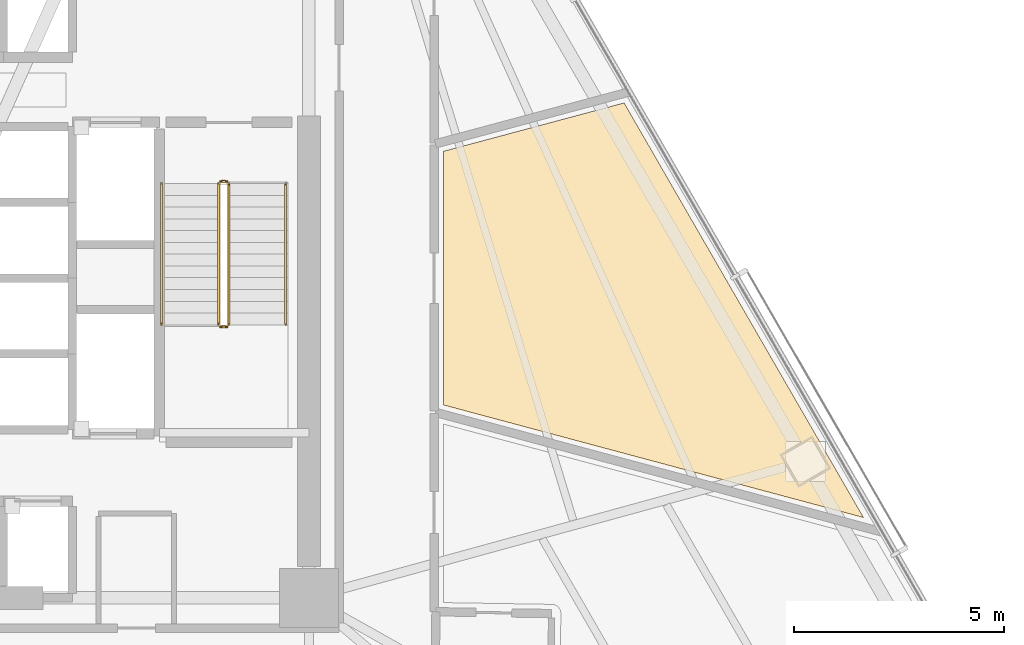
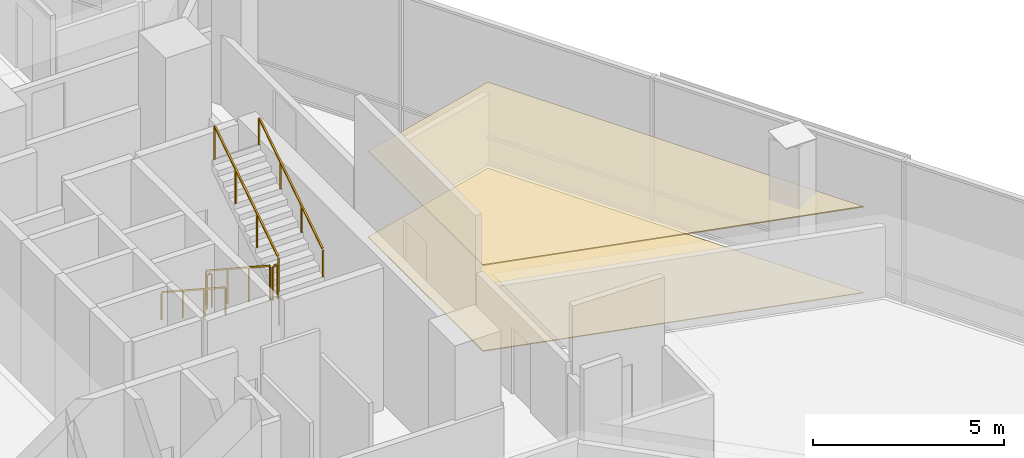
# One storey, part 16 of 17: 6 railings, 2 coverings.
"""IFC4 building model written with IfcOpenShell, lengths in metres."""

from ifc_helpers import new_model, si_unit, direction, frame, origin, origin_2d, place, context, subcontext, project, spatial, polyline, rectangle, outline, extrude, material, layer, layer_set, type_object, element, save


model = new_model("IFC4")

# Units and contexts
model_context = context("Model", 3, precision=1e-05, world=origin(), true_north=direction((0.0, 1.0)))
body_context = subcontext(model_context, "Body", "Model", "MODEL_VIEW")
ifc_project = project(units=[si_unit("LENGTHUNIT", "METRE"), si_unit("AREAUNIT", "SQUARE_METRE"), si_unit("VOLUMEUNIT", "CUBIC_METRE"), si_unit("PLANEANGLEUNIT", "RADIAN"), si_unit("MASSUNIT", "GRAM", prefix="KILO")], contexts=[model_context])

# Site, building, storey
site_placement = place(None, origin())
site = spatial("IfcSite", under=ifc_project, at=site_placement, CompositionType="ELEMENT")
building_placement = place(site_placement, origin())
building = spatial("IfcBuilding", under=site, at=building_placement, Name="Tharavind Bronze Gate", CompositionType="ELEMENT")
storey_placement = place(building_placement, frame((0.0, 0.0, 52.25)))
storey = spatial("IfcBuildingStorey", under=building, at=storey_placement, Name="L12", CompositionType="ELEMENT", Elevation=52.25)

# Coverings
ifc_material_1 = material(Name="Perforated Bronze Acoustic Panel", Category="bronze")
ifc_layer_1 = layer(ifc_material_1, 0.044921875)
ifc_layer_set_1 = layer_set([ifc_layer_1], Name="Perforated Bronze Acoustic Panel")
covering_type_1 = type_object("IfcCoveringType", Name="ACOUSTIC BRONZE BAFFLE CEILING", PredefinedType="CEILING", material=ifc_layer_set_1)
covering_1_placement = place(storey_placement, frame((0.0, 0.0, 2.75)))
element("IfcCovering", 1, at=covering_1_placement, inside=storey, type_object=covering_type_1, Name="L12-RM-12 suspended ceiling", PredefinedType="CEILING", context=body_context, shape_type="SweptSolid", body=[
    extrude(outline(polyline([(22.08349609375, -5.689453125), (16.393798828125, 4.1650390625), (12.10009765625, 3.014404296875), (12.10009765625, -3.014404296875), (22.08349609375, -5.689453125)])), origin(), (0.0, 0.0, 1.0), 0.034912109375),
])
ifc_material_2 = material(Name="Honed Travertine Limestone", Category="masonry")
ifc_layer_2 = layer(ifc_material_2, 0.030029296875)
ifc_layer_set_2 = layer_set([ifc_layer_2], Name="Honed Travertine Limestone")
covering_type_2 = type_object("IfcCoveringType", Name="HONED LIMESTONE FLOORING", PredefinedType="FLOORING", material=ifc_layer_set_2)
covering_2_placement = place(storey_placement, origin())
element("IfcCovering", 2, at=covering_2_placement, inside=storey, type_object=covering_type_2, Name="L12-RM-12 floor finish", PredefinedType="FLOORING", context=body_context, shape_type="SweptSolid", body=[
    extrude(outline(polyline([(22.08349609375, -5.689453125), (16.393798828125, 4.1650390625), (12.10009765625, 3.014404296875), (12.10009765625, -3.014404296875), (22.08349609375, -5.689453125)])), origin(), (0.0, 0.0, 1.0), 0.02490234375),
])

# Railings
ifc_material_3 = material(Name="Brushed Bronze Alloy", Category="metal")
railing_type_1 = type_object("IfcRailingType", Name="STAIR BRONZE HANDRAIL 900", PredefinedType="HANDRAIL", material=ifc_material_3)
railing_1_placement = place(storey_placement, frame((5.39990234375, 2.25, 0.1826171875)))
element("IfcRailing", 3, at=railing_1_placement, inside=storey, type_object=railing_type_1, Name="L12 ST2 stair handrail 1", PredefinedType="HANDRAIL", context=body_context, shape_type="SweptSolid", body=[
    extrude(rectangle(XDim=0.048095703125, YDim=0.048095703125, at=origin_2d()), frame((0.0, -0.02685546875, 0.893310546875), z_axis=(0.0, -0.837495574281, 0.546444107901), x_axis=(1.0, 0.0, 0.0)), (0.0, 0.0, 1.0), 3.947998046875),
    extrude(rectangle(XDim=0.0400390625, YDim=0.0400390625, at=origin_2d()), origin(), (0.0, 0.0, 1.0), 0.847900390625),
    extrude(rectangle(XDim=0.0400390625, YDim=0.0400390625, at=origin_2d()), frame((0.0, -1.1201171875, 0.730712890625)), (0.0, 0.0, 1.0), 0.847900390625),
    extrude(rectangle(XDim=0.0400390625, YDim=0.0400390625, at=origin_2d()), frame((0.0, -2.239990234375, 1.461669921875)), (0.0, 0.0, 1.0), 0.847900390625),
    extrude(rectangle(XDim=0.0400390625, YDim=0.0400390625, at=origin_2d()), frame((0.0, -3.360107421875, 2.1923828125)), (0.0, 0.0, 1.0), 0.847900390625),
])
railing_2_placement = place(storey_placement, frame((8.35009765625, -1.110107421875, 2.5576171875)))
element("IfcRailing", 4, at=railing_2_placement, inside=storey, type_object=railing_type_1, Name="L12 ST2 stair handrail 2", PredefinedType="HANDRAIL", context=body_context, shape_type="SweptSolid", body=[
    extrude(rectangle(XDim=0.048095703125, YDim=0.048095703125, at=origin_2d()), frame((0.0, 0.02685546875, 0.893310546875), z_axis=(0.0, 0.837495574281, 0.546444107901), x_axis=(-1.0, 0.0, 0.0)), (0.0, 0.0, 1.0), 3.947998046875),
    extrude(rectangle(XDim=0.0400390625, YDim=0.0400390625, at=origin_2d()), origin(), (0.0, 0.0, 1.0), 0.847900390625),
    extrude(rectangle(XDim=0.0400390625, YDim=0.0400390625, at=origin_2d()), frame((0.0, 1.1201171875, 0.730712890625)), (0.0, 0.0, 1.0), 0.847900390625),
    extrude(rectangle(XDim=0.0400390625, YDim=0.0400390625, at=origin_2d()), frame((0.0, 2.239990234375, 1.461669921875)), (0.0, 0.0, 1.0), 0.847900390625),
    extrude(rectangle(XDim=0.0400390625, YDim=0.0400390625, at=origin_2d()), frame((0.0, 3.360107421875, 2.1923828125)), (0.0, 0.0, 1.0), 0.847900390625),
])
railing_type_2 = type_object("IfcRailingType", Name="STAIR WELL GUARD RAILING 1120", PredefinedType="GUARDRAIL", material=ifc_material_3)
railing_3_placement = place(storey_placement, frame((6.75, 2.25, 0.1826171875)))
element("IfcRailing", 5, at=railing_3_placement, inside=storey, type_object=railing_type_2, Name="L12 ST2 stair guard 1", PredefinedType="GUARDRAIL", context=body_context, shape_type="SweptSolid", body=[
    extrude(rectangle(XDim=0.048095703125, YDim=0.048095703125, at=origin_2d()), frame((0.0, -0.02685546875, 1.113525390625), z_axis=(0.0, -0.837495574281, 0.546444107901), x_axis=(1.0, 0.0, 0.0)), (0.0, 0.0, 1.0), 3.947998046875),
    extrude(rectangle(XDim=0.0400390625, YDim=0.0400390625, at=origin_2d()), origin(), (0.0, 0.0, 1.0), 1.068115234375),
    extrude(rectangle(XDim=0.0400390625, YDim=0.0400390625, at=origin_2d()), frame((0.0, -1.1201171875, 0.730712890625)), (0.0, 0.0, 1.0), 1.068115234375),
    extrude(rectangle(XDim=0.0400390625, YDim=0.0400390625, at=origin_2d()), frame((0.0, -2.239990234375, 1.461669921875)), (0.0, 0.0, 1.0), 1.068115234375),
    extrude(rectangle(XDim=0.0400390625, YDim=0.0400390625, at=origin_2d()), frame((0.0, -3.360107421875, 2.1923828125)), (0.0, 0.0, 1.0), 1.068115234375),
])
railing_4_placement = place(storey_placement, frame((6.800048828125, -1.159912109375, 2.375)))
element("IfcRailing", 6, at=railing_4_placement, inside=storey, type_object=railing_type_2, Name="L12 ST2 stair guard 2", PredefinedType="GUARDRAIL", context=body_context, shape_type="SweptSolid", body=[
    extrude(rectangle(XDim=0.048095703125, YDim=0.048095703125, at=origin_2d()), frame((0.031982421875, 0.0, 1.09619140625), z_axis=(1.0, 0.0, 0.0), x_axis=(0.0, 1.0, 0.0)), (0.0, 0.0, 1.0), 0.0859375),
    extrude(rectangle(XDim=0.0400390625, YDim=0.0400390625, at=origin_2d()), origin(), (0.0, 0.0, 1.0), 1.068115234375),
    extrude(rectangle(XDim=0.0400390625, YDim=0.0400390625, at=origin_2d()), frame((0.14990234375, 0.0, 0.0)), (0.0, 0.0, 1.0), 1.068115234375),
])
railing_5_placement = place(storey_placement, frame((7.0, -1.110107421875, 2.5576171875)))
element("IfcRailing", 7, at=railing_5_placement, inside=storey, type_object=railing_type_2, Name="L12 ST2 stair guard 3", PredefinedType="GUARDRAIL", context=body_context, shape_type="SweptSolid", body=[
    extrude(rectangle(XDim=0.048095703125, YDim=0.048095703125, at=origin_2d()), frame((0.0, 0.02685546875, 1.113525390625), z_axis=(0.0, 0.837495574281, 0.546444107901), x_axis=(-1.0, 0.0, 0.0)), (0.0, 0.0, 1.0), 3.947998046875),
    extrude(rectangle(XDim=0.0400390625, YDim=0.0400390625, at=origin_2d()), origin(), (0.0, 0.0, 1.0), 1.068115234375),
    extrude(rectangle(XDim=0.0400390625, YDim=0.0400390625, at=origin_2d()), frame((0.0, 1.1201171875, 0.730712890625)), (0.0, 0.0, 1.0), 1.068115234375),
    extrude(rectangle(XDim=0.0400390625, YDim=0.0400390625, at=origin_2d()), frame((0.0, 2.239990234375, 1.461669921875)), (0.0, 0.0, 1.0), 1.068115234375),
    extrude(rectangle(XDim=0.0400390625, YDim=0.0400390625, at=origin_2d()), frame((0.0, 3.360107421875, 2.1923828125)), (0.0, 0.0, 1.0), 1.068115234375),
])
railing_6_placement = place(storey_placement, frame((6.800048828125, 2.300048828125, 0.0)))
element("IfcRailing", 8, at=railing_6_placement, inside=storey, type_object=railing_type_2, Name="L12 ST2 stair guard 4", PredefinedType="GUARDRAIL", context=body_context, shape_type="SweptSolid", body=[
    extrude(rectangle(XDim=0.048095703125, YDim=0.048095703125, at=origin_2d()), frame((0.031982421875, 0.0, 1.09619140625), z_axis=(1.0, 0.0, 0.0), x_axis=(0.0, 1.0, 0.0)), (0.0, 0.0, 1.0), 0.0859375),
    extrude(rectangle(XDim=0.0400390625, YDim=0.0400390625, at=origin_2d()), origin(), (0.0, 0.0, 1.0), 1.068115234375),
    extrude(rectangle(XDim=0.0400390625, YDim=0.0400390625, at=origin_2d()), frame((0.14990234375, 0.0, 0.0)), (0.0, 0.0, 1.0), 1.068115234375),
])

save(model, "model.ifc")
